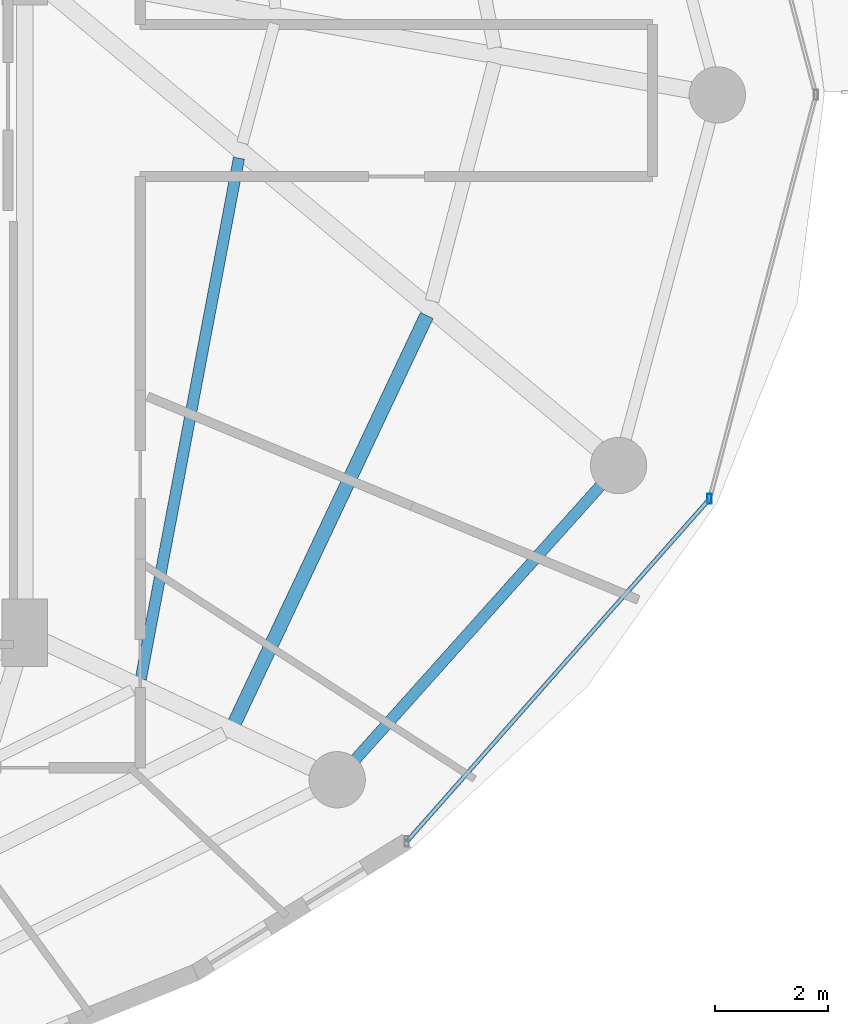
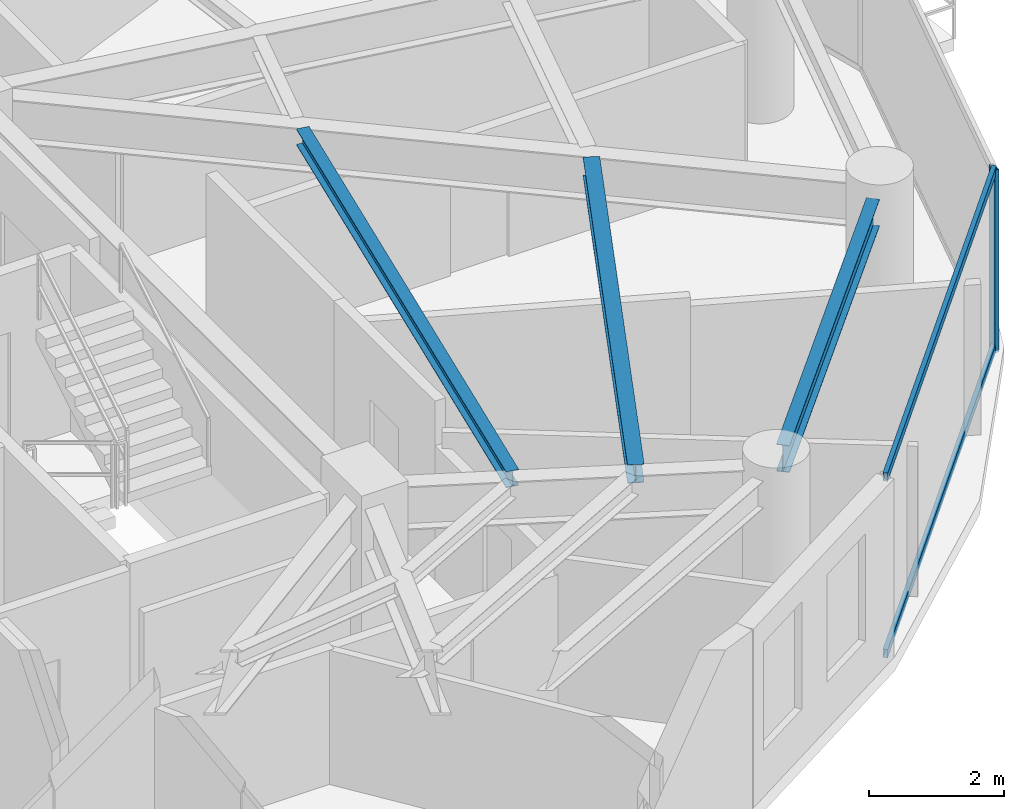
# One storey, part 11 of 28: 3 beams, 3 members, 1 element without a shape of its own.
"""IFC4 building model written with IfcOpenShell, lengths in metres."""

from ifc_helpers import new_model, si_unit, direction, frame, origin, origin_2d, place, context, subcontext, project, spatial, hollow_rectangle, i_section, extrude, material, material_profile, profile_set, type_object, element, aggregate, save


model = new_model("IFC4")

# Units and contexts
model_context = context("Model", 3, precision=1e-05, world=origin(), true_north=direction((0.0, 1.0)))
body_context = subcontext(model_context, "Body", "Model", "MODEL_VIEW")
ifc_project = project(units=[si_unit("LENGTHUNIT", "METRE"), si_unit("AREAUNIT", "SQUARE_METRE"), si_unit("VOLUMEUNIT", "CUBIC_METRE"), si_unit("PLANEANGLEUNIT", "RADIAN"), si_unit("MASSUNIT", "GRAM", prefix="KILO")], contexts=[model_context])

# Site, building, storey
site_placement = place(None, origin())
site = spatial("IfcSite", under=ifc_project, at=site_placement, CompositionType="ELEMENT")
building_placement = place(site_placement, origin())
building = spatial("IfcBuilding", under=site, at=building_placement, Name="Vorneva Point Tower", CompositionType="ELEMENT")
storey_placement = place(building_placement, frame((0.0, 0.0, 160.60009765625)))
storey = spatial("IfcBuildingStorey", under=building, at=storey_placement, Name="L43", CompositionType="ELEMENT", Elevation=160.60009765625)

# Beams
ifc_material_1 = material(Name="Steel S355", Category="steel")
ifc_material_profile_1 = material_profile(ifc_material_1, i_section(OverallWidth=0.199951171875, OverallDepth=0.291015625, WebThickness=0.008056640625, FlangeThickness=0.010986328125, at=origin_2d()), Name="30Sh1")
ifc_profile_set_1 = profile_set([ifc_material_profile_1], Name="Steel S355")
beam_type_1 = type_object("IfcBeamType", Name="BM-SEC-30Sh1", PredefinedType="BEAM", material=ifc_profile_set_1)
beam_1_placement = place(storey_placement, frame((50.81103515625, 15.62744140625, 3.094482421875), z_axis=(0.185093544859, 0.982720906286, 0.0), x_axis=(-0.982720906286, 0.185093544859, 0.0)))
element("IfcBeam", 1, at=beam_1_placement, inside=storey, type_object=beam_type_1, Name="L43 Secondary Floor Beam 2.15", PredefinedType="BEAM", context=body_context, shape_type="SweptSolid", body=[
    extrude(i_section(OverallWidth=0.199951171875, OverallDepth=0.291015625, WebThickness=0.008056640625, FlangeThickness=0.010986328125, at=origin_2d()), origin(), (0.0, 0.0, 1.0), 9.4111328125),
])
ifc_material_profile_2 = material_profile(ifc_material_1, i_section(OverallWidth=0.2490234375, OverallDepth=0.333984375, WebThickness=0.008056640625, FlangeThickness=0.010986328125, at=origin_2d()), Name="35Sh1")
ifc_profile_set_2 = profile_set([ifc_material_profile_2], Name="Steel S355")
beam_type_2 = type_object("IfcBeamType", Name="BM-SEC-35Sh1", PredefinedType="BEAM", material=ifc_profile_set_2)
beam_2_placement = place(storey_placement, frame((52.476318359375, 14.848388671875, 3.072998046875), z_axis=(0.426717146128, 0.904385137649, 0.0), x_axis=(-0.904385137649, 0.426717146128, 0.0)))
element("IfcBeam", 2, at=beam_2_placement, inside=storey, type_object=beam_type_2, Name="L43 Secondary Floor Beam 1.15", PredefinedType="BEAM", context=body_context, shape_type="SweptSolid", body=[
    extrude(i_section(OverallWidth=0.2490234375, OverallDepth=0.333984375, WebThickness=0.008056640625, FlangeThickness=0.010986328125, at=origin_2d()), origin(), (0.0, 0.0, 1.0), 7.997314453125),
])
ifc_material_profile_3 = material_profile(ifc_material_1, i_section(OverallWidth=0.199951171875, OverallDepth=0.491943359375, WebThickness=0.0087890625, FlangeThickness=0.011962890625, at=origin_2d()), Name="50B1")
ifc_profile_set_3 = profile_set([ifc_material_profile_3], Name="Steel S355")
beam_type_3 = type_object("IfcBeamType", Name="BM-SPN-50B1", PredefinedType="SPANDREL", material=ifc_profile_set_3)
beam_3_placement = place(storey_placement, frame((54.622314453125, 14.19921875, 2.993896484375), z_axis=(0.667111118975, 0.74495822362, 0.0), x_axis=(-0.74495822362, 0.667111118975, 0.0)))
element("IfcBeam", 3, at=beam_3_placement, inside=storey, type_object=beam_type_3, Name="L43 Perimeter Spandrel Ring Beam 15", PredefinedType="SPANDREL", context=body_context, shape_type="SweptSolid", body=[
    extrude(i_section(OverallWidth=0.199951171875, OverallDepth=0.491943359375, WebThickness=0.0087890625, FlangeThickness=0.011962890625, at=origin_2d()), origin(), (0.0, 0.0, 1.0), 6.52001953125),
])

# Curtain wall, members
ifc_material_2 = material(Name="Pale anodised aluminium", Category="aluminium")
curtain_wall_type = type_object("IfcCurtainWallType", Name="CW-RES-SYS", PredefinedType="NOTDEFINED", material=ifc_material_2)
curtain_wall_placement = place(storey_placement, origin())
curtain_wall = element("IfcCurtainWall", 4, at=curtain_wall_placement, inside=storey, type_object=curtain_wall_type, Name="L43 Unitised Curtain Wall CW-L43-R01", PredefinedType="NOTDEFINED")
ifc_material_profile_4 = material_profile(ifc_material_2, hollow_rectangle(XDim=0.074951171875, YDim=0.179931640625, WallThickness=0.00390625, at=origin_2d()), Name="AL-MUL 180x75x4")
ifc_profile_set_4 = profile_set([ifc_material_profile_4], Name="Pale anodised aluminium")
member_type_1 = type_object("IfcMemberType", Name="CW-MUL-180", PredefinedType="MULLION", material=ifc_profile_set_4)
member_1_placement = place(storey_placement, frame((60.912109375, 18.82470703125, -0.0400390625), z_axis=(0.0, 0.0, 1.0), x_axis=(1.0, 0.0, 0.0)))
member_1 = element("IfcMember", 5, at=member_1_placement, type_object=member_type_1, Name="CW-L43-R01 Mullion 02", PredefinedType="MULLION", context=body_context, shape_type="SweptSolid", body=[
    extrude(hollow_rectangle(XDim=0.074951171875, YDim=0.179931640625, WallThickness=0.00390625, at=origin_2d()), origin(), (0.0, 0.0, 1.0), 3.31005859375),
])
ifc_material_profile_5 = material_profile(ifc_material_2, hollow_rectangle(XDim=0.074951171875, YDim=0.14990234375, WallThickness=0.00390625, at=origin_2d()), Name="AL-TRN 150x75x4")
ifc_profile_set_5 = profile_set([ifc_material_profile_5], Name="Pale anodised aluminium")
member_type_2 = type_object("IfcMemberType", Name="CW-TRN-150", PredefinedType="USERDEFINED", material=ifc_profile_set_5)
member_2_placement = place(storey_placement, frame((55.5361328125, 12.74169921875, 0.02001953125), z_axis=(0.662218216609, 0.749311039283, 0.0), x_axis=(-0.749311039283, 0.662218216609, 0.0)))
member_2 = element("IfcMember", 6, at=member_2_placement, type_object=member_type_2, Name="CW-L43-R01 Transom 01.1", ObjectType="TRANSOM", PredefinedType="USERDEFINED", context=body_context, shape_type="SweptSolid", body=[
    extrude(hollow_rectangle(XDim=0.074951171875, YDim=0.14990234375, WallThickness=0.00390625, at=origin_2d()), origin(), (0.0, 0.0, 1.0), 8.1181640625),
])
member_3_placement = place(storey_placement, frame((55.5361328125, 12.74169921875, 3.219970703125), z_axis=(0.662218216609, 0.749311039283, 0.0), x_axis=(-0.749311039283, 0.662218216609, 0.0)))
member_3 = element("IfcMember", 7, at=member_3_placement, type_object=member_type_2, Name="CW-L43-R01 Transom 01.2", ObjectType="TRANSOM", PredefinedType="USERDEFINED", context=body_context, shape_type="SweptSolid", body=[
    extrude(hollow_rectangle(XDim=0.074951171875, YDim=0.14990234375, WallThickness=0.00390625, at=origin_2d()), origin(), (0.0, 0.0, 1.0), 8.1181640625),
])
aggregate(curtain_wall, [member_1, member_2, member_3])

save(model, "model.ifc")
